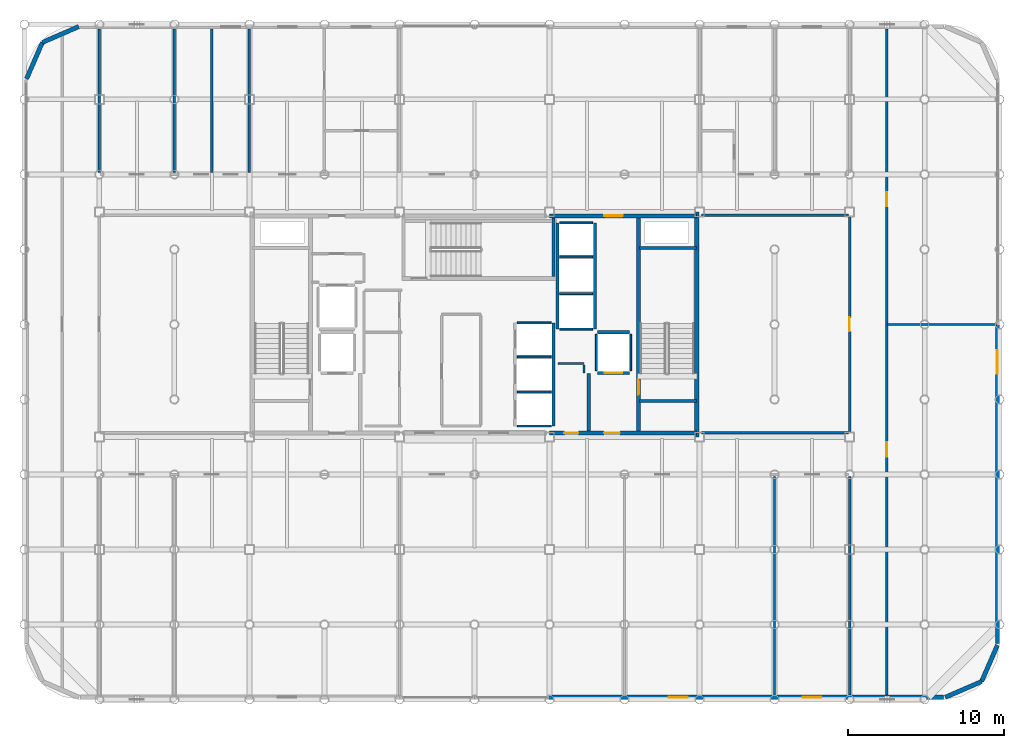
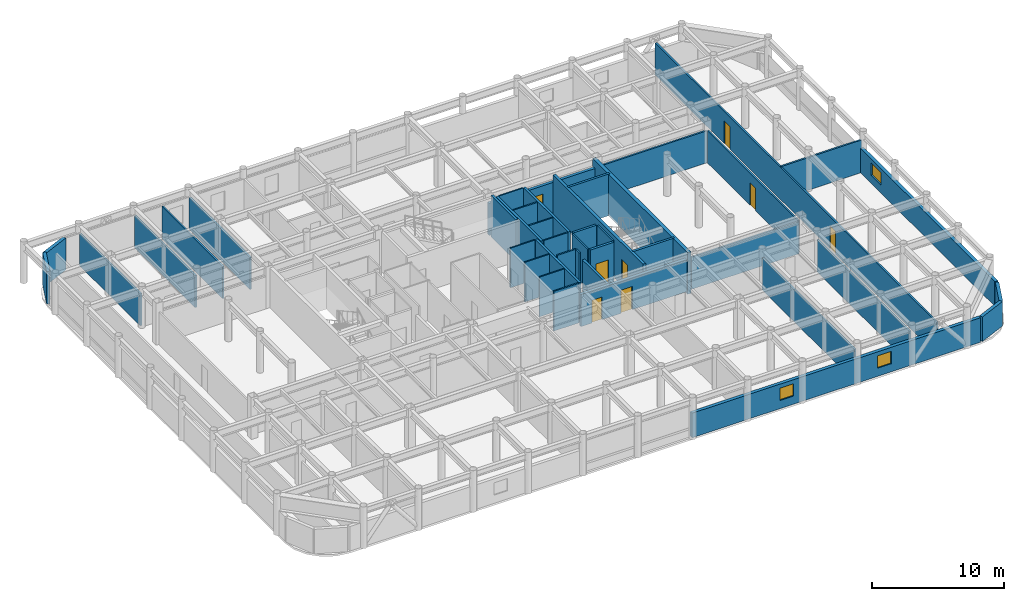
# One storey, part 18 of 21: 42 walls, 8 doors, 3 windows, 11 openings.
"""IFC4 building model written with IfcOpenShell, lengths in metres."""

import ifcopenshell
import ifcopenshell.guid

model = None  # the IFC model being written
_history = None  # IfcOwnerHistory: only IFC2X3 demands one
_inside = {}  # id of a spatial element -> (the spatial element, [elements in it])
_under = {}  # id of a project, library or spatial element -> (it, [spatial elements below it])
_declared = {}  # id of a project -> (the project, [libraries it declares])
_typed = {}  # id of a type object -> (the type object, [elements of that type])
_made_of = {}  # id of a material, layer set ... -> (it, [elements and type objects made of it])


def new_model(schema):
    """Start an empty IFC model of exactly this schema.

    Asked for "IFC4X3", IfcOpenShell would pick the latest addendum, in which some entities
    have other attributes; the version numbers below select the first issue.
    IFC2X3 requires an IfcOwnerHistory on every rooted entity: one is made here for all.
    """
    global model, _history
    if schema == "IFC4X3":
        model = ifcopenshell.file(schema_version=(4, 3, 0, 0))
    else:
        model = ifcopenshell.file(schema=schema)
    _inside.clear()
    _under.clear()
    _declared.clear()
    _typed.clear()
    _made_of.clear()
    _history = None
    if model.schema == "IFC2X3":
        org = make("IfcOrganization", Name="unknown")
        user = make(
            "IfcPersonAndOrganization",
            ThePerson=make("IfcPerson", FamilyName="unknown"),
            TheOrganization=org,
        )
        app = make(
            "IfcApplication",
            ApplicationDeveloper=org,
            Version="unknown",
            ApplicationFullName="unknown",
            ApplicationIdentifier="unknown",
        )
        _history = make(
            "IfcOwnerHistory",
            OwningUser=user,
            OwningApplication=app,
            ChangeAction="ADDED",
            CreationDate=0,
        )
    return model


def make(cls, **values):
    """One entity of the class cls with the attributes given. An attribute that is None is left unset."""
    return model.create_entity(
        cls, **{name: value for name, value in values.items() if value is not None}
    )


def rooted(cls, **values):
    """An entity with a GlobalId (a new one), such as an element, a storey or a relation."""
    return make(cls, GlobalId=ifcopenshell.guid.new(), OwnerHistory=_history, **values)


def si_unit(unit_type, name, prefix=None):
    """IfcSIUnit, for example si_unit("LENGTHUNIT", "METRE", prefix="MILLI")."""
    return make("IfcSIUnit", UnitType=unit_type, Prefix=prefix, Name=name)


def assignment(units):
    """IfcUnitAssignment: the units of a project."""
    return None if units is None else make("IfcUnitAssignment", Units=units)


def point(xyz):
    """IfcCartesianPoint."""
    return None if xyz is None else make("IfcCartesianPoint", Coordinates=xyz)


def direction(xyz):
    """IfcDirection."""
    return None if xyz is None else make("IfcDirection", DirectionRatios=xyz)


def frame(location, z_axis=None, x_axis=None):
    """IfcAxis2Placement3D, a coordinate frame: its origin and axes. An axis left out is left unset."""
    return make(
        "IfcAxis2Placement3D",
        Location=point(location),
        Axis=direction(z_axis),
        RefDirection=direction(x_axis),
    )


def frame_2d(location, x_axis=None):
    """IfcAxis2Placement2D, a coordinate frame in the plane: its origin and x axis."""
    return make(
        "IfcAxis2Placement2D", Location=point(location), RefDirection=direction(x_axis)
    )


def origin():
    """The frame at (0, 0, 0) with its axes left unset."""
    return frame((0.0, 0.0, 0.0))


def place(relative_to, where):
    """IfcLocalPlacement: puts the frame where relative to a parent placement (None: the world)."""
    return make(
        "IfcLocalPlacement", PlacementRelTo=relative_to, RelativePlacement=where
    )


def context(
    kind, dimensions, precision=None, world=None, true_north=None, identifier=None
):
    """IfcGeometricRepresentationContext, for example the 3D "Model" context."""
    return make(
        "IfcGeometricRepresentationContext",
        ContextIdentifier=identifier,
        ContextType=kind,
        CoordinateSpaceDimension=dimensions,
        Precision=precision,
        WorldCoordinateSystem=world,
        TrueNorth=true_north,
    )


def subcontext(parent, identifier, kind, view, scale=None):
    """IfcGeometricRepresentationSubContext, for example "Body" below "Model"."""
    return make(
        "IfcGeometricRepresentationSubContext",
        ContextIdentifier=identifier,
        ContextType=kind,
        ParentContext=parent,
        TargetScale=scale,
        TargetView=view,
    )


def project(units=None, contexts=None):
    """IfcProject with its units and contexts."""
    return rooted(
        "IfcProject",
        Name="project",
        RepresentationContexts=contexts,
        UnitsInContext=assignment(units),
    )


def spatial(cls, under=None, at=None, **own):
    """A site, building, storey or space (cls), placed at a placement, below another one or the project."""
    s = rooted(cls, ObjectPlacement=at, **own)
    if under is not None:
        _under.setdefault(under.id(), (under, []))[1].append(s)
    return s


def profile(cls, at=None, kind="AREA", **sizes):
    """A parametric profile (cls). Its sizes go by their IFC names, for example OverallWidth=200.0."""
    return make(cls, ProfileType=kind, Position=at, **sizes)


def rectangle(**sizes):
    """IfcRectangleProfileDef."""
    return profile("IfcRectangleProfileDef", **sizes)


def extrude(swept, where, along, depth):
    """IfcExtrudedAreaSolid: the profile swept, set in the frame where, extruded along a direction by depth."""
    return make(
        "IfcExtrudedAreaSolid",
        SweptArea=swept,
        Position=where,
        ExtrudedDirection=direction(along),
        Depth=depth,
    )


def shape(context_of_items, identifier, shape_type, items):
    """IfcShapeRepresentation: the items that make up one representation, for example the "Body"."""
    return make(
        "IfcShapeRepresentation",
        ContextOfItems=context_of_items,
        RepresentationIdentifier=identifier,
        RepresentationType=shape_type,
        Items=items,
    )


def material(Name=None, Category=None):
    """IfcMaterial."""
    return make("IfcMaterial", Name=Name, Category=Category)


def layer(
    of_material, thickness, ventilated=None, Name=None, Category=None, Priority=None
):
    """IfcMaterialLayer: one layer of a wall or slab, of a material (None: an air gap)."""
    return make(
        "IfcMaterialLayer",
        Material=of_material,
        LayerThickness=thickness,
        IsVentilated=ventilated,
        Name=Name,
        Category=Category,
        Priority=Priority,
    )


def layer_set(layers, Name=None):
    """IfcMaterialLayerSet."""
    return make("IfcMaterialLayerSet", MaterialLayers=layers, LayerSetName=Name)


def made_of(thing, what):
    """Note that an element or type object is made of a material, layer set ...; save() writes the relation."""
    if what is not None:
        _made_of.setdefault(what.id(), (what, []))[1].append(thing)
    return thing


def type_object(cls, material=None, **own):
    """A type object (cls), such as IfcWallType, which elements share."""
    return made_of(rooted(cls, **own), material)


def element(
    cls,
    number,
    at=None,
    inside=None,
    cuts=None,
    type_object=None,
    material=None,
    context=None,
    identifier="Body",
    shape_type=None,
    held_by="IfcProductDefinitionShape",
    body=None,
    shapes=None,
    **own,
):
    """One element of the class cls, such as IfcWall. Its Tag is "e" and its number.

    at: its placement. inside: the storey or other place that contains it. cuts: it is an
    opening in that element (IfcRelVoidsElement). A single representation is given by context,
    identifier, shape_type and body (its items); several are given by shapes. held_by: the class
    of the entity that holds the representations. save() writes the other relations.
    """
    e = rooted(cls, Tag="e%d" % number, ObjectPlacement=at, **own)
    if body is not None:
        shapes = [shape(context, identifier, shape_type, body)]
    if shapes is not None:
        e.Representation = make(held_by, Representations=shapes)
    if inside is not None:
        _inside.setdefault(inside.id(), (inside, []))[1].append(e)
    if cuts is not None:
        rooted(
            "IfcRelVoidsElement", RelatingBuildingElement=cuts, RelatedOpeningElement=e
        )
    if type_object is not None:
        _typed.setdefault(type_object.id(), (type_object, []))[1].append(e)
    return made_of(e, material)


def fill(opening, filler):
    """IfcRelFillsElement: the door or window that sits in an opening."""
    return rooted(
        "IfcRelFillsElement",
        RelatingOpeningElement=opening,
        RelatedBuildingElement=filler,
    )


def aggregate(whole, parts):
    """IfcRelAggregates: a whole, such as a stair, and the parts it consists of."""
    return rooted("IfcRelAggregates", RelatingObject=whole, RelatedObjects=parts)


def save(model, path):
    """Write the relations noted so far, then the file.

    IfcRelAggregates (storeys below a building ...), IfcRelContainedInSpatialStructure (elements
    in a storey), IfcRelDefinesByType, IfcRelAssociatesMaterial and IfcRelDeclares: one each for
    every whole, place, type object, material and project.
    """
    for whole, parts in _under.values():
        aggregate(whole, parts)
    for where, things in _inside.values():
        rooted(
            "IfcRelContainedInSpatialStructure",
            RelatedElements=things,
            RelatingStructure=where,
        )
    for kind, things in _typed.values():
        rooted("IfcRelDefinesByType", RelatedObjects=things, RelatingType=kind)
    for what, things in _made_of.values():
        rooted("IfcRelAssociatesMaterial", RelatedObjects=things, RelatingMaterial=what)
    for by, libraries in _declared.values():
        rooted("IfcRelDeclares", RelatingContext=by, RelatedDefinitions=libraries)
    model.write(path)


model = new_model("IFC4")

# Units and contexts
model_context = context("Model", 3, precision=1e-05, world=origin(), true_north=direction((0.0, 1.0)))
body_context = subcontext(model_context, "Body", "Model", "MODEL_VIEW")
ifc_project = project(units=[si_unit("LENGTHUNIT", "METRE"), si_unit("AREAUNIT", "SQUARE_METRE"), si_unit("VOLUMEUNIT", "CUBIC_METRE"), si_unit("PLANEANGLEUNIT", "RADIAN"), si_unit("MASSUNIT", "GRAM", prefix="KILO")], contexts=[model_context])

# Site, building, storey
site_placement = place(None, origin())
site = spatial("IfcSite", under=ifc_project, at=site_placement, CompositionType="ELEMENT")
building_placement = place(site_placement, origin())
building = spatial("IfcBuilding", under=site, at=building_placement, Name="Kallvorn Hotel Tower", CompositionType="ELEMENT")
storey_placement = place(building_placement, frame((0.0, 0.0, 214.60009765625)))
storey = spatial("IfcBuildingStorey", under=building, at=storey_placement, Name="L53", CompositionType="ELEMENT", Elevation=214.60009765625)

# Walls
ifc_material_1 = material(Name="Concrete C50/60", Category="concrete")
ifc_layer_1 = layer(ifc_material_1, 0.300048828125)
ifc_layer_set_1 = layer_set([ifc_layer_1], Name="WL_CORE_300")
wall_type_1 = type_object("IfcWallType", Name="WL_CORE_300", PredefinedType="SHEAR", material=ifc_layer_set_1)
wall_1_placement = place(storey_placement, frame((14.215087890625, -7.199951171875, -0.18017578125), z_axis=(0.0, 0.0, 1.0), x_axis=(0.0, 1.0, 0.0)))
element("IfcWall", 1, at=wall_1_placement, inside=storey, type_object=wall_type_1, Name="L53 Core East Shear Wall", PredefinedType="SHEAR", context=body_context, shape_type="SweptSolid", body=[
    extrude(rectangle(XDim=14.39990234375, YDim=0.300048828125, at=frame_2d((7.199951171875, 0.0))), origin(), (0.0, 0.0, 1.0), 3.85009765625),
])
ifc_material_2 = material(Name="Fire-rated double-layer acoustic gypsum drywall EI 60")
ifc_layer_2 = layer(ifc_material_2, 0.159912109375)
ifc_layer_set_2 = layer_set([ifc_layer_2], Name="WL_DEMISE_160")
wall_type_2 = type_object("IfcWallType", Name="WL_DEMISE_160", PredefinedType="PARTITIONING", material=ifc_layer_set_2)
wall_2_placement = place(storey_placement, frame((-14.39990234375, 9.719970703125, 0.0), z_axis=(0.0, 0.0, 1.0), x_axis=(0.0, 1.0, 0.0)))
element("IfcWall", 2, at=wall_2_placement, inside=storey, type_object=wall_type_2, Name="L53 Suite 5301 Junior Living Salon Partition", PredefinedType="PARTITIONING", context=body_context, shape_type="SweptSolid", body=[
    extrude(rectangle(XDim=9.18994140625, YDim=0.159912109375, at=frame_2d((4.594970703125, 0.0))), origin(), (0.0, 0.0, 1.0), 2.969970703125),
])
ifc_material_3 = material(Name="Precast basalt-clad insulated concrete wall C40/50", Category="masonry")
ifc_layer_3 = layer(ifc_material_3, 0.280029296875)
ifc_layer_set_3 = layer_set([ifc_layer_3], Name="WL_EXT_LOGGIA_280")
wall_type_3 = type_object("IfcWallType", Name="WL_EXT_LOGGIA_280", PredefinedType="SOLIDWALL", material=ifc_layer_set_3)
wall_3_placement = place(storey_placement, frame((30.120849609375, -23.85791015625, 0.0), z_axis=(0.0, 0.0, 1.0), x_axis=(0.917060872934, 0.398747232384, 0.0)))
element("IfcWall", 3, at=wall_3_placement, inside=storey, type_object=wall_type_3, Name="L53 Rounded Corner Exterior Wall SE1", PredefinedType="SOLIDWALL", context=body_context, shape_type="SweptSolid", body=[
    extrude(rectangle(XDim=2.5361328125, YDim=0.280029296875, at=frame_2d((1.26806640625, 0.0))), origin(), (0.0, 0.0, 1.0), 2.27001953125),
])
wall_4_placement = place(storey_placement, frame((32.446533203125, -22.8466796875, 0.0), z_axis=(0.0, 0.0, 1.0), x_axis=(0.398792985289, 0.917040977756, 0.0)))
element("IfcWall", 4, at=wall_4_placement, inside=storey, type_object=wall_type_3, Name="L53 Rounded Corner Exterior Wall SE2", PredefinedType="SOLIDWALL", context=body_context, shape_type="SweptSolid", body=[
    extrude(rectangle(XDim=2.536376953125, YDim=0.280029296875, at=frame_2d((1.26806640625, 0.0))), origin(), (0.0, 0.0, 1.0), 2.27001953125),
])
wall_5_placement = place(storey_placement, frame((-25.32080078125, 19.057861328125, 0.0), z_axis=(0.0, 0.0, 1.0), x_axis=(-0.917060872934, -0.398747232384, 0.0)))
element("IfcWall", 5, at=wall_5_placement, inside=storey, type_object=wall_type_3, Name="L53 Rounded Corner Exterior Wall NW1", PredefinedType="SOLIDWALL", context=body_context, shape_type="SweptSolid", body=[
    extrude(rectangle(XDim=2.5361328125, YDim=0.280029296875, at=frame_2d((1.26806640625, 0.0))), origin(), (0.0, 0.0, 1.0), 2.969970703125),
])
wall_6_placement = place(storey_placement, frame((-27.646484375, 18.046630859375, 0.0), z_axis=(0.0, 0.0, 1.0), x_axis=(-0.398792985289, -0.917040977756, 0.0)))
element("IfcWall", 6, at=wall_6_placement, inside=storey, type_object=wall_type_3, Name="L53 Rounded Corner Exterior Wall NW2", PredefinedType="SOLIDWALL", context=body_context, shape_type="SweptSolid", body=[
    extrude(rectangle(XDim=2.536376953125, YDim=0.280029296875, at=frame_2d((1.26806640625, 0.0))), origin(), (0.0, 0.0, 1.0), 3.02001953125),
])

# Wall, openings, windows
wall_7_placement = place(storey_placement, frame((4.75, -23.860107421875, 0.0), z_axis=(0.0, 0.0, 1.0), x_axis=(1.0, 0.0, 0.0)))
wall_7 = element("IfcWall", 7, at=wall_7_placement, inside=storey, type_object=wall_type_3, Name="L53 Exterior Envelope Wall EW-L53-SE", PredefinedType="SOLIDWALL", context=body_context, shape_type="SweptSolid", body=[
    extrude(rectangle(XDim=25.25, YDim=0.280029296875, at=frame_2d((12.625, 0.0))), origin(), (0.0, 0.0, 1.0), 2.27001953125),
])
opening_1_placement = place(wall_7_placement, frame((16.25, 0.0, 0.75)))
opening_1 = element("IfcOpeningElement", 8, at=opening_1_placement, cuts=wall_7, Name="Opening W06A", PredefinedType="OPENING", context=body_context, shape_type="SweptSolid", body=[
    extrude(rectangle(XDim=1.199951171875, YDim=1.14990234375, at=frame_2d((0.60009765625, 0.574951171875))), frame((0.0, 0.155029296875, 0.0), z_axis=(0.0, -1.0, 0.0), x_axis=(1.0, 0.0, 0.0)), (0.0, 0.0, 1.0), 0.31005859375),
])
opening_2_placement = place(wall_7_placement, frame((7.68408203125, 0.0, 0.75)))
opening_2 = element("IfcOpeningElement", 9, at=opening_2_placement, cuts=wall_7, Name="Opening W06A", PredefinedType="OPENING", context=body_context, shape_type="SweptSolid", body=[
    extrude(rectangle(XDim=1.199951171875, YDim=1.14990234375, at=frame_2d((0.60009765625, 0.574951171875))), frame((0.0, 0.155029296875, 0.0), z_axis=(0.0, -1.0, 0.0), x_axis=(1.0, 0.0, 0.0)), (0.0, 0.0, 1.0), 0.31005859375),
])
ifc_material_4 = material(Name="Triple-glazed low-e acoustic solar-control dark glass", Category="glass")
window_type_1 = type_object("IfcWindowType", Name="WN_HTL_1200x1150", PartitioningType="SINGLE_PANEL", PredefinedType="WINDOW", material=ifc_material_4)
window_1_placement = place(opening_1_placement, origin())
window_1 = element("IfcWindow", 10, at=window_1_placement, inside=storey, type_object=window_type_1, Name="L53 Guestroom Exterior Window 01", OverallHeight=1.14990234375, OverallWidth=1.199951171875, PartitioningType="SINGLE_PANEL", PredefinedType="WINDOW", context=body_context, shape_type="SweptSolid", body=[
    extrude(rectangle(XDim=1.199951171875, YDim=1.14990234375, at=frame_2d((0.60009765625, 0.574951171875))), frame((0.0, 0.030029296875, 0.0), z_axis=(0.0, -1.0, 0.0), x_axis=(1.0, 0.0, 0.0)), (0.0, 0.0, 1.0), 0.06005859375),
])
fill(opening_1, window_1)
window_2_placement = place(opening_2_placement, origin())
window_2 = element("IfcWindow", 11, at=window_2_placement, inside=storey, type_object=window_type_1, Name="L53 Guestroom Exterior Window 05", OverallHeight=1.14990234375, OverallWidth=1.199951171875, PartitioningType="SINGLE_PANEL", PredefinedType="WINDOW", context=body_context, shape_type="SweptSolid", body=[
    extrude(rectangle(XDim=1.199951171875, YDim=1.14990234375, at=frame_2d((0.60009765625, 0.574951171875))), frame((0.0, 0.030029296875, 0.0), z_axis=(0.0, -1.0, 0.0), x_axis=(1.0, 0.0, 0.0)), (0.0, 0.0, 1.0), 0.06005859375),
])
fill(opening_2, window_2)

# Wall, opening, window
wall_8_placement = place(storey_placement, frame((33.4599609375, -20.39990234375, 0.0), z_axis=(0.0, 0.0, 1.0), x_axis=(0.0, 1.0, 0.0)))
wall_8 = element("IfcWall", 12, at=wall_8_placement, inside=storey, type_object=wall_type_3, Name="L53 Exterior Envelope Wall EW-L53-ES", PredefinedType="SOLIDWALL", context=body_context, shape_type="SweptSolid", body=[
    extrude(rectangle(XDim=20.3798828125, YDim=0.280029296875, at=frame_2d((10.18994140625, 0.0))), origin(), (0.0, 0.0, 1.0), 2.27001953125),
])
opening_3_placement = place(wall_8_placement, frame((17.25, 0.0, 0.75)))
opening_3 = element("IfcOpeningElement", 13, at=opening_3_placement, cuts=wall_8, Name="Opening W05A", PredefinedType="OPENING", context=body_context, shape_type="SweptSolid", body=[
    extrude(rectangle(XDim=1.5, YDim=1.14990234375, at=frame_2d((0.75, 0.574951171875))), frame((0.0, 0.155029296875, 0.0), z_axis=(0.0, -1.0, 0.0), x_axis=(1.0, 0.0, 0.0)), (0.0, 0.0, 1.0), 0.31005859375),
])
ifc_material_5 = material(Name="Double-glazed low-e solar-control dark glass", Category="glass")
window_type_2 = type_object("IfcWindowType", Name="WN_HTL_1500x1150", PartitioningType="SINGLE_PANEL", PredefinedType="WINDOW", material=ifc_material_5)
window_3_placement = place(opening_3_placement, origin())
window_3 = element("IfcWindow", 14, at=window_3_placement, inside=storey, type_object=window_type_2, Name="L53 Flank Wing Window 03", OverallHeight=1.14990234375, OverallWidth=1.5, PartitioningType="SINGLE_PANEL", PredefinedType="WINDOW", context=body_context, shape_type="SweptSolid", body=[
    extrude(rectangle(XDim=1.5, YDim=1.14990234375, at=frame_2d((0.75, 0.574951171875))), frame((0.0, 0.030029296875, 0.0), z_axis=(0.0, -1.0, 0.0), x_axis=(1.0, 0.0, 0.0)), (0.0, 0.0, 1.0), 0.06005859375),
])
fill(opening_3, window_3)

# Walls
ifc_material_6 = material(Name="Concrete C40/50", Category="concrete")
ifc_layer_4 = layer(ifc_material_6, 0.219970703125)
ifc_layer_set_4 = layer_set([ifc_layer_4], Name="WL_FFL_220")
wall_type_4 = type_object("IfcWallType", Name="WL_FFL_220", PredefinedType="SOLIDWALL", material=ifc_layer_set_4)
wall_9_placement = place(storey_placement, frame((7.300048828125, -6.820068359375, 0.0), z_axis=(0.0, 0.0, 1.0), x_axis=(0.0, 1.0, 0.0)))
element("IfcWall", 15, at=wall_9_placement, inside=storey, type_object=wall_type_4, Name="L53 Firefighting Lobby East Divider Wall", PredefinedType="SOLIDWALL", context=body_context, shape_type="SweptSolid", body=[
    extrude(rectangle(XDim=3.670166015625, YDim=0.219970703125, at=frame_2d((1.8349609375, 0.0))), origin(), (0.0, 0.0, 1.0), 2.969970703125),
])
ifc_material_7 = material(Name="Concrete C40/50", Category="concrete")
ifc_layer_5 = layer(ifc_material_7, 0.199951171875)
ifc_layer_set_5 = layer_set([ifc_layer_5], Name="WL_HOIST_200")
wall_type_5 = type_object("IfcWallType", Name="WL_HOIST_200", PredefinedType="SOLIDWALL", material=ifc_layer_set_5)
for number, where, z_axis, x_axis, name in (
    (16, (10.550048828125, -4.89990234375, -0.18017578125), (0.0, 0.0, 1.0), (1.0, 0.0, 0.0), "L53 Stair ST2 South Wall"),
    (17, (10.550048828125, 4.89990234375, -0.18017578125), (0.0, 0.0, 1.0), (1.0, 0.0, 0.0), "L53 Stair ST2 North Wall"),
):
    element("IfcWall", number, at=place(storey_placement, frame(where, z_axis=z_axis, x_axis=x_axis)), inside=storey, type_object=wall_type_5, Name=name, PredefinedType="SOLIDWALL", context=body_context, shape_type="SweptSolid", body=[
        extrude(rectangle(XDim=3.64990234375, YDim=0.199951171875, at=frame_2d((1.824951171875, 0.0))), origin(), (0.0, 0.0, 1.0), 3.85009765625),
    ])
wall_10_placement = place(storey_placement, frame((5.06005859375, 3.080078125, -0.18017578125), z_axis=(0.0, 0.0, 1.0), x_axis=(0.0, 1.0, 0.0)))
element("IfcWall", 18, at=wall_10_placement, inside=storey, type_object=wall_type_5, Name="L53 Stair ST3 East Wall", PredefinedType="SOLIDWALL", context=body_context, shape_type="SweptSolid", body=[
    extrude(rectangle(XDim=3.739990234375, YDim=0.199951171875, at=frame_2d((1.8701171875, 0.0))), origin(), (0.0, 0.0, 1.0), 3.85009765625),
])
wall_11_placement = place(storey_placement, frame((5.050048828125, -6.5, 0.0), z_axis=(0.0, 0.0, 1.0), x_axis=(0.0, 1.0, 0.0)))
element("IfcWall", 19, at=wall_11_placement, inside=storey, type_object=wall_type_5, Name="L53 Lift Bank B3A Rear Shaft Wall", PredefinedType="SOLIDWALL", context=body_context, shape_type="SweptSolid", body=[
    extrude(rectangle(XDim=6.60009765625, YDim=0.199951171875, at=frame_2d((3.300048828125, 0.0))), origin(), (0.0, 0.0, 1.0), 3.669921875),
])
for number, where, z_axis, x_axis, name in (
    (20, (7.699951171875, -0.300048828125, 0.0), (0.0, 0.0, 1.0), (0.0, 1.0, 0.0), "L53 Lift Bank OBS Landing Wall"),
    (21, (5.300048828125, -0.300048828125, 0.0), (0.0, 0.0, 1.0), (0.0, 1.0, 0.0), "L53 Lift Bank OBS Rear Shaft Wall"),
):
    element("IfcWall", number, at=place(storey_placement, frame(where, z_axis=z_axis, x_axis=x_axis)), inside=storey, type_object=wall_type_5, Name=name, PredefinedType="SOLIDWALL", context=body_context, shape_type="SweptSolid", body=[
        extrude(rectangle(XDim=6.800048828125, YDim=0.199951171875, at=frame_2d((3.39990234375, 0.0))), origin(), (0.0, 0.0, 1.0), 3.669921875),
    ])

# Wall, opening, door
wall_12_placement = place(storey_placement, frame((7.8798828125, -3.10009765625, 0.0), z_axis=(0.0, 0.0, 1.0), x_axis=(1.0, 0.0, 0.0)))
wall_12 = element("IfcWall", 22, at=wall_12_placement, inside=storey, type_object=wall_type_5, Name="L53 FL-2 Landing Wall", PredefinedType="SOLIDWALL", context=body_context, shape_type="SweptSolid", body=[
    extrude(rectangle(XDim=2.0400390625, YDim=0.199951171875, at=frame_2d((1.02001953125, 0.0))), origin(), (0.0, 0.0, 1.0), 3.669921875),
])
opening_4_placement = place(wall_12_placement, frame((0.469970703125, 0.0, 0.0)))
opening_4 = element("IfcOpeningElement", 23, at=opening_4_placement, cuts=wall_12, Name="Opening LD-FL-2", PredefinedType="OPENING", context=body_context, shape_type="SweptSolid", body=[
    extrude(rectangle(XDim=1.10009765625, YDim=2.199951171875, at=frame_2d((0.550048828125, 1.10009765625))), frame((0.0, 0.114990234375, 0.0), z_axis=(0.0, -1.0, 0.0), x_axis=(1.0, 0.0, 0.0)), (0.0, 0.0, 1.0), 0.22998046875),
])
ifc_material_8 = material(Name="Brushed stainless-steel automatic sliding lift landing door", Category="steel")
door_type_1 = type_object("IfcDoorType", Name="LD_PASS_1100x2200", OperationType="SLIDING_TO_LEFT", PredefinedType="DOOR", material=ifc_material_8)
door_1_placement = place(opening_4_placement, origin())
door_1 = element("IfcDoor", 24, at=door_1_placement, inside=storey, type_object=door_type_1, Name="L53 Lift Landing Sliding Door LD-FL-2", OperationType="SLIDING_TO_LEFT", OverallHeight=2.199951171875, OverallWidth=1.10009765625, PredefinedType="DOOR", context=body_context, shape_type="SweptSolid", body=[
    extrude(rectangle(XDim=1.10009765625, YDim=2.199951171875, at=frame_2d((0.550048828125, 1.10009765625))), frame((0.0, 0.02490234375, 0.0), z_axis=(0.0, -1.0, 0.0), x_axis=(1.0, 0.0, 0.0)), (0.0, 0.0, 1.0), 0.050048828125),
])
fill(opening_4, door_1)

# Walls
wall_13_placement = place(storey_placement, frame((7.8798828125, -0.5, 0.0), z_axis=(0.0, 0.0, 1.0), x_axis=(1.0, 0.0, 0.0)))
element("IfcWall", 25, at=wall_13_placement, inside=storey, type_object=wall_type_5, Name="L53 FL-2 Rear Shaft Wall", PredefinedType="SOLIDWALL", context=body_context, shape_type="SweptSolid", body=[
    extrude(rectangle(XDim=2.0400390625, YDim=0.199951171875, at=frame_2d((1.02001953125, 0.0))), origin(), (0.0, 0.0, 1.0), 3.669921875),
])
ifc_material_9 = material(Name="Fire-rated double-layer acoustic gypsum drywall EI 60")
ifc_layer_6 = layer(ifc_material_9, 0.1201171875)
ifc_layer_set_6 = layer_set([ifc_layer_6], Name="WL_INT_120")
wall_type_6 = type_object("IfcWallType", Name="WL_INT_120", PredefinedType="PARTITIONING", material=ifc_layer_set_6)
for number, where, z_axis, x_axis, name in (
    (26, (2.739990234375, -6.5, 0.0), (0.0, 0.0, 1.0), (1.0, 0.0, 0.0), "L53 Lift Bank B3A South Closure Wall"),
    (27, (2.739990234375, -4.324951171875, 0.0), (0.0, 0.0, 1.0), (1.0, 0.0, 0.0), "L53 PL-09 Hoistway Divider"),
    (28, (2.739990234375, -2.074951171875, 0.0), (0.0, 0.0, 1.0), (1.0, 0.0, 0.0), "L53 PL-10 Hoistway Divider"),
    (29, (2.739990234375, 0.10009765625, 0.0), (0.0, 0.0, 1.0), (1.0, 0.0, 0.0), "L53 PL-11 Hoistway Divider"),
):
    element("IfcWall", number, at=place(storey_placement, frame(where, z_axis=z_axis, x_axis=x_axis)), inside=storey, type_object=wall_type_6, Name=name, PredefinedType="PARTITIONING", context=body_context, shape_type="SweptSolid", body=[
        extrude(rectangle(XDim=2.169921875, YDim=0.1201171875, at=frame_2d((1.0849609375, 0.0))), origin(), (0.0, 0.0, 1.0), 3.669921875),
    ])
for number, where, z_axis, x_axis, name in (
    (30, (5.43994140625, -0.300048828125, 0.0), (0.0, 0.0, 1.0), (1.0, 0.0, 0.0), "L53 Lift Bank OBS South Closure Wall"),
    (31, (5.43994140625, 1.97509765625, 0.0), (0.0, 0.0, 1.0), (1.0, 0.0, 0.0), "L53 OB-01 Hoistway Divider"),
    (32, (5.43994140625, 4.324951171875, 0.0), (0.0, 0.0, 1.0), (1.0, 0.0, 0.0), "L53 OB-02 Hoistway Divider"),
    (33, (5.43994140625, 6.5, 0.0), (0.0, 0.0, 1.0), (1.0, 0.0, 0.0), "L53 OB-03 Hoistway Divider"),
):
    element("IfcWall", number, at=place(storey_placement, frame(where, z_axis=z_axis, x_axis=x_axis)), inside=storey, type_object=wall_type_6, Name=name, PredefinedType="PARTITIONING", context=body_context, shape_type="SweptSolid", body=[
        extrude(rectangle(XDim=2.1201171875, YDim=0.1201171875, at=frame_2d((1.06005859375, 0.0))), origin(), (0.0, 0.0, 1.0), 3.669921875),
    ])
for number, where, z_axis, x_axis, name in (
    (34, (7.800048828125, -2.9599609375, 0.0), (0.0, 0.0, 1.0), (0.0, 1.0, 0.0), "L53 FL-2 West Shaft Wall"),
    (35, (10.0, -2.9599609375, 0.0), (0.0, 0.0, 1.0), (0.0, 1.0, 0.0), "L53 FL-2 East Shaft Wall"),
):
    element("IfcWall", number, at=place(storey_placement, frame(where, z_axis=z_axis, x_axis=x_axis)), inside=storey, type_object=wall_type_6, Name=name, PredefinedType="PARTITIONING", context=body_context, shape_type="SweptSolid", body=[
        extrude(rectangle(XDim=2.320068359375, YDim=0.1201171875, at=frame_2d((1.16015625, 0.0))), origin(), (0.0, 0.0, 1.0), 3.669921875),
    ])
ifc_material_10 = material(Name="Fire-rated double-layer acoustic gypsum drywall EI 60")
ifc_layer_7 = layer(ifc_material_10, 0.14990234375)
ifc_layer_set_7 = layer_set([ifc_layer_7], Name="WL_PART_150")
wall_type_7 = type_object("IfcWallType", Name="WL_PART_150", PredefinedType="PARTITIONING", material=ifc_layer_set_7)
wall_14_placement = place(storey_placement, frame((14.52001953125, -6.919921875, 0.0), z_axis=(0.0, 0.0, 1.0), x_axis=(1.0, 0.0, 0.0)))
element("IfcWall", 36, at=wall_14_placement, inside=storey, type_object=wall_type_7, Name="L53 L53 High-Zone Inner East Club Gallery Partition", PredefinedType="PARTITIONING", context=body_context, shape_type="SweptSolid", body=[
    extrude(rectangle(XDim=9.39990234375, YDim=0.14990234375, at=frame_2d((4.699951171875, 0.0))), origin(), (0.0, 0.0, 1.0), 2.969970703125),
])
wall_15_placement = place(storey_placement, frame((26.3798828125, 0.0, 0.0), z_axis=(0.0, 0.0, 1.0), x_axis=(1.0, 0.0, 0.0)))
element("IfcWall", 37, at=wall_15_placement, inside=storey, type_object=wall_type_7, Name="L53 L53 Outer East South Tasting Bar Partition", PredefinedType="PARTITIONING", context=body_context, shape_type="SweptSolid", body=[
    extrude(rectangle(XDim=7.050048828125, YDim=0.14990234375, at=frame_2d((3.52490234375, 0.0))), origin(), (0.0, 0.0, 1.0), 3.02001953125),
])
wall_16_placement = place(storey_placement, frame((14.52001953125, 6.97998046875, 0.0), z_axis=(0.0, 0.0, 1.0), x_axis=(1.0, 0.0, 0.0)))
element("IfcWall", 38, at=wall_16_placement, inside=storey, type_object=wall_type_7, Name="L53 L53 High-Zone Inner East Club Gallery Partition", PredefinedType="PARTITIONING", context=body_context, shape_type="SweptSolid", body=[
    extrude(rectangle(XDim=9.39990234375, YDim=0.14990234375, at=frame_2d((4.699951171875, 0.0))), origin(), (0.0, 0.0, 1.0), 2.969970703125),
])
for number, where, z_axis, x_axis, name in (
    (39, (-24.0, 9.719970703125, 0.0), (0.0, 0.0, 1.0), (0.0, 1.0, 0.0), "L53 L53 High-Zone North-West Reading Salon Partition"),
    (40, (-19.199951171875, 9.719970703125, 0.0), (0.0, 0.0, 1.0), (0.0, 1.0, 0.0), "L53 Housekeeping and Linen Room Partition"),
    (41, (-16.800048828125, 9.719970703125, 0.0), (0.0, 0.0, 1.0), (0.0, 1.0, 0.0), "L53 Guest Tea and Refreshment Bar Partition"),
):
    element("IfcWall", number, at=place(storey_placement, frame(where, z_axis=z_axis, x_axis=x_axis)), inside=storey, type_object=wall_type_7, Name=name, PredefinedType="PARTITIONING", context=body_context, shape_type="SweptSolid", body=[
        extrude(rectangle(XDim=9.18994140625, YDim=0.14990234375, at=frame_2d((4.594970703125, 0.0))), origin(), (0.0, 0.0, 1.0), 2.969970703125),
    ])
for number, where, z_axis, x_axis, name in (
    (42, (19.199951171875, -23.7099609375, 0.0), (0.0, 0.0, 1.0), (0.0, 1.0, 0.0), "L53 L53 Haute Couture Design Retail Shop 3 Partition"),
    (43, (24.0, -23.7099609375, 0.0), (0.0, 0.0, 1.0), (0.0, 1.0, 0.0), "L53 L53 High-Zone South-East Wine Bar Partition"),
):
    element("IfcWall", number, at=place(storey_placement, frame(where, z_axis=z_axis, x_axis=x_axis)), inside=storey, type_object=wall_type_7, Name=name, PredefinedType="PARTITIONING", context=body_context, shape_type="SweptSolid", body=[
        extrude(rectangle(XDim=13.989990234375, YDim=0.14990234375, at=frame_2d((6.9951171875, 0.0))), origin(), (0.0, 0.0, 1.0), 2.969970703125),
    ])

# Wall, opening, door
wall_17_placement = place(storey_placement, frame((24.0, -6.8349609375, 0.0), z_axis=(0.0, 0.0, 1.0), x_axis=(0.0, 1.0, 0.0)))
wall_17 = element("IfcWall", 44, at=wall_17_placement, inside=storey, type_object=wall_type_7, Name="L53 L53 High-Zone Inner East Club Gallery Partition", PredefinedType="PARTITIONING", context=body_context, shape_type="SweptSolid", body=[
    extrude(rectangle(XDim=13.72998046875, YDim=0.14990234375, at=frame_2d((6.864990234375, 0.0))), origin(), (0.0, 0.0, 1.0), 2.969970703125),
])
opening_5_placement = place(wall_17_placement, frame((6.385009765625, 0.0, 0.0)))
opening_5 = element("IfcOpeningElement", 45, at=opening_5_placement, cuts=wall_17, Name="Opening SVD1", PredefinedType="OPENING", context=body_context, shape_type="SweptSolid", body=[
    extrude(rectangle(XDim=0.89990234375, YDim=2.10009765625, at=frame_2d((0.449951171875, 1.050048828125))), frame((0.0, 0.08984375, 0.0), z_axis=(0.0, -1.0, 0.0), x_axis=(1.0, 0.0, 0.0)), (0.0, 0.0, 1.0), 0.179931640625),
])
ifc_material_11 = material(Name="Galvanised painted steel fire-rated door assembly", Category="steel")
door_type_2 = type_object("IfcDoorType", Name="DR_SERV_900x2100", OperationType="NOTDEFINED", PredefinedType="DOOR", material=ifc_material_11)
door_2_placement = place(opening_5_placement, origin())
door_2 = element("IfcDoor", 46, at=door_2_placement, inside=storey, type_object=door_type_2, Name="L53 L53 High-Zone Inner East Club Gallery Door", OperationType="SINGLE_SWING_LEFT", OverallHeight=2.10009765625, OverallWidth=0.89990234375, PredefinedType="DOOR", context=body_context, shape_type="SweptSolid", body=[
    extrude(rectangle(XDim=0.89990234375, YDim=2.10009765625, at=frame_2d((0.449951171875, 1.050048828125))), frame((0.0, 0.02490234375, 0.0), z_axis=(0.0, -1.0, 0.0), x_axis=(1.0, 0.0, 0.0)), (0.0, 0.0, 1.0), 0.050048828125),
])
fill(opening_5, door_2)

# Wall, openings, doors
wall_18_placement = place(storey_placement, frame((26.3798828125, -23.7099609375, 0.0), z_axis=(0.0, 0.0, 1.0), x_axis=(0.0, 1.0, 0.0)))
wall_18 = element("IfcWall", 47, at=wall_18_placement, inside=storey, type_object=wall_type_7, Name="L53 L53 Outer East South Tasting Bar Partition", PredefinedType="PARTITIONING", context=body_context, shape_type="SweptSolid", body=[
    extrude(rectangle(XDim=42.619873046875, YDim=0.14990234375, at=frame_2d((21.31005859375, 0.0))), origin(), (0.0, 0.0, 1.0), 2.969970703125),
])
opening_6_placement = place(wall_18_placement, frame((15.260009765625, 0.0, 0.0)))
opening_6 = element("IfcOpeningElement", 48, at=opening_6_placement, cuts=wall_18, Name="Opening SVD1", PredefinedType="OPENING", context=body_context, shape_type="SweptSolid", body=[
    extrude(rectangle(XDim=0.89990234375, YDim=2.10009765625, at=frame_2d((0.449951171875, 1.050048828125))), frame((0.0, 0.08984375, 0.0), z_axis=(0.0, -1.0, 0.0), x_axis=(1.0, 0.0, 0.0)), (0.0, 0.0, 1.0), 0.179931640625),
])
opening_7_placement = place(wall_18_placement, frame((31.260009765625, 0.0, 0.0)))
opening_7 = element("IfcOpeningElement", 49, at=opening_7_placement, cuts=wall_18, Name="Opening SVD1", PredefinedType="OPENING", context=body_context, shape_type="SweptSolid", body=[
    extrude(rectangle(XDim=0.89990234375, YDim=2.10009765625, at=frame_2d((0.449951171875, 1.050048828125))), frame((0.0, 0.08984375, 0.0), z_axis=(0.0, -1.0, 0.0), x_axis=(1.0, 0.0, 0.0)), (0.0, 0.0, 1.0), 0.179931640625),
])
door_3_placement = place(opening_6_placement, origin())
door_3 = element("IfcDoor", 50, at=door_3_placement, inside=storey, type_object=door_type_2, Name="L53 L53 Outer East South Tasting Bar Door", OperationType="SINGLE_SWING_LEFT", OverallHeight=2.10009765625, OverallWidth=0.89990234375, PredefinedType="DOOR", context=body_context, shape_type="SweptSolid", body=[
    extrude(rectangle(XDim=0.89990234375, YDim=2.10009765625, at=frame_2d((0.449951171875, 1.050048828125))), frame((0.0, 0.02490234375, 0.0), z_axis=(0.0, -1.0, 0.0), x_axis=(1.0, 0.0, 0.0)), (0.0, 0.0, 1.0), 0.050048828125),
])
fill(opening_6, door_3)
door_4_placement = place(opening_7_placement, origin())
door_4 = element("IfcDoor", 51, at=door_4_placement, inside=storey, type_object=door_type_2, Name="L53 L53 Outer East North Collectors Gallery Door", OperationType="SINGLE_SWING_LEFT", OverallHeight=2.10009765625, OverallWidth=0.89990234375, PredefinedType="DOOR", context=body_context, shape_type="SweptSolid", body=[
    extrude(rectangle(XDim=0.89990234375, YDim=2.10009765625, at=frame_2d((0.449951171875, 1.050048828125))), frame((0.0, 0.02490234375, 0.0), z_axis=(0.0, -1.0, 0.0), x_axis=(1.0, 0.0, 0.0)), (0.0, 0.0, 1.0), 0.050048828125),
])
fill(opening_7, door_4)

# Walls
ifc_material_12 = material(Name="Moisture-resistant acoustic plumbing chase wall EI 60")
ifc_layer_8 = layer(ifc_material_12, 0.139892578125)
ifc_layer_set_8 = layer_set([ifc_layer_8], Name="WL_PLUMB_140")
wall_type_8 = type_object("IfcWallType", Name="WL_PLUMB_140", PredefinedType="PLUMBINGWALL", material=ifc_layer_set_8)
wall_19_placement = place(storey_placement, frame((5.35009765625, -2.5, 0.0), z_axis=(0.0, 0.0, 1.0), x_axis=(1.0, 0.0, 0.0)))
element("IfcWall", 52, at=wall_19_placement, inside=storey, type_object=wall_type_8, Name="L53 Core Accessible Staff WC Partition", PredefinedType="PLUMBINGWALL", context=body_context, shape_type="SweptSolid", body=[
    extrude(rectangle(XDim=1.64990234375, YDim=0.139892578125, at=frame_2d((0.824951171875, 0.0))), origin(), (0.0, 0.0, 1.0), 3.669921875),
])
wall_20_placement = place(storey_placement, frame((7.0, -3.110107421875, 0.0), z_axis=(0.0, 0.0, 1.0), x_axis=(0.0, 1.0, 0.0)))
element("IfcWall", 53, at=wall_20_placement, inside=storey, type_object=wall_type_8, Name="L53 Core Accessible Staff WC Partition", PredefinedType="PLUMBINGWALL", context=body_context, shape_type="SweptSolid", body=[
    extrude(rectangle(XDim=0.525146484375, YDim=0.139892578125, at=frame_2d((0.2626953125, 0.0))), origin(), (0.0, 0.0, 1.0), 3.669921875),
])

# Wall, openings, doors
ifc_material_13 = material(Name="Concrete C40/50", Category="concrete")
ifc_layer_9 = layer(ifc_material_13, 0.25)
ifc_layer_set_9 = layer_set([ifc_layer_9], Name="WL_SHAFT_250")
wall_type_9 = type_object("IfcWallType", Name="WL_SHAFT_250", PredefinedType="SOLIDWALL", material=ifc_layer_set_9)
wall_21_placement = place(storey_placement, frame((4.800048828125, -6.949951171875, 0.0), z_axis=(0.0, 0.0, 1.0), x_axis=(1.0, 0.0, 0.0)))
wall_21 = element("IfcWall", 54, at=wall_21_placement, inside=storey, type_object=wall_type_9, Name="L53 Core South-East Wall", PredefinedType="SOLIDWALL", context=body_context, shape_type="SweptSolid", body=[
    extrude(rectangle(XDim=9.39990234375, YDim=0.25, at=frame_2d((4.699951171875, 0.0))), origin(), (0.0, 0.0, 1.0), 2.969970703125),
])
opening_8_placement = place(wall_21_placement, frame((3.5, 0.0, 0.0)))
opening_8 = element("IfcOpeningElement", 55, at=opening_8_placement, cuts=wall_21, Name="Opening FD1", PredefinedType="OPENING", context=body_context, shape_type="SweptSolid", body=[
    extrude(rectangle(XDim=1.0, YDim=2.14990234375, at=frame_2d((0.5, 1.074951171875))), frame((0.0, 0.139892578125, 0.0), z_axis=(0.0, -1.0, 0.0), x_axis=(1.0, 0.0, 0.0)), (0.0, 0.0, 1.0), 0.280029296875),
])
opening_9_placement = place(wall_21_placement, frame((0.949951171875, 0.0, 0.0)))
opening_9 = element("IfcOpeningElement", 56, at=opening_9_placement, cuts=wall_21, Name="Opening SVD1", PredefinedType="OPENING", context=body_context, shape_type="SweptSolid", body=[
    extrude(rectangle(XDim=0.89990234375, YDim=2.10009765625, at=frame_2d((0.449951171875, 1.050048828125))), frame((0.0, 0.139892578125, 0.0), z_axis=(0.0, -1.0, 0.0), x_axis=(1.0, 0.0, 0.0)), (0.0, 0.0, 1.0), 0.280029296875),
])
ifc_material_14 = material(Name="Galvanised painted steel fire-rated door assembly", Category="steel")
door_type_3 = type_object("IfcDoorType", Name="DR_FFL_1000x2150", OperationType="NOTDEFINED", PredefinedType="DOOR", material=ifc_material_14)
door_5_placement = place(opening_8_placement, origin())
door_5 = element("IfcDoor", 57, at=door_5_placement, inside=storey, type_object=door_type_3, Name="L53 Firefighting Lobby East Door", OperationType="SINGLE_SWING_LEFT", OverallHeight=2.14990234375, OverallWidth=1.0, PredefinedType="DOOR", context=body_context, shape_type="SweptSolid", body=[
    extrude(rectangle(XDim=1.0, YDim=2.14990234375, at=frame_2d((0.5, 1.074951171875))), frame((0.0, 0.02490234375, 0.0), z_axis=(0.0, -1.0, 0.0), x_axis=(1.0, 0.0, 0.0)), (0.0, 0.0, 1.0), 0.050048828125),
])
fill(opening_8, door_5)
door_6_placement = place(opening_9_placement, origin())
door_6 = element("IfcDoor", 58, at=door_6_placement, inside=storey, type_object=door_type_2, Name="L53 Core Accessible Staff WC Door", OperationType="SINGLE_SWING_LEFT", OverallHeight=2.10009765625, OverallWidth=0.89990234375, PredefinedType="DOOR", context=body_context, shape_type="SweptSolid", body=[
    extrude(rectangle(XDim=0.89990234375, YDim=2.10009765625, at=frame_2d((0.449951171875, 1.050048828125))), frame((0.0, 0.02490234375, 0.0), z_axis=(0.0, -1.0, 0.0), x_axis=(1.0, 0.0, 0.0)), (0.0, 0.0, 1.0), 0.050048828125),
])
fill(opening_9, door_6)

# Wall, opening, door
wall_22_placement = place(storey_placement, frame((4.800048828125, 6.949951171875, 0.0), z_axis=(0.0, 0.0, 1.0), x_axis=(1.0, 0.0, 0.0)))
wall_22 = element("IfcWall", 59, at=wall_22_placement, inside=storey, type_object=wall_type_9, Name="L53 Core North-East Wall", PredefinedType="SOLIDWALL", context=body_context, shape_type="SweptSolid", body=[
    extrude(rectangle(XDim=9.39990234375, YDim=0.25, at=frame_2d((4.699951171875, 0.0))), origin(), (0.0, 0.0, 1.0), 2.969970703125),
])
opening_10_placement = place(wall_22_placement, frame((3.5, 0.0, 0.0)))
opening_10 = element("IfcOpeningElement", 60, at=opening_10_placement, cuts=wall_22, Name="Opening FD2", PredefinedType="OPENING", context=body_context, shape_type="SweptSolid", body=[
    extrude(rectangle(XDim=1.199951171875, YDim=2.199951171875, at=frame_2d((0.60009765625, 1.10009765625))), frame((0.0, 0.139892578125, 0.0), z_axis=(0.0, -1.0, 0.0), x_axis=(1.0, 0.0, 0.0)), (0.0, 0.0, 1.0), 0.280029296875),
])
ifc_material_15 = material(Name="Galvanised painted steel fire-rated door assembly", Category="steel")
door_type_4 = type_object("IfcDoorType", Name="DR_LOBBY_1200x2200", OperationType="DOUBLE_DOOR_SINGLE_SWING", PredefinedType="DOOR", material=ifc_material_15)
door_7_placement = place(opening_10_placement, origin())
door_7 = element("IfcDoor", 61, at=door_7_placement, inside=storey, type_object=door_type_4, Name="L53 Observatory Shuttle Lobby Door", OperationType="DOUBLE_DOOR_SINGLE_SWING", OverallHeight=2.199951171875, OverallWidth=1.199951171875, PredefinedType="DOOR", context=body_context, shape_type="SweptSolid", body=[
    extrude(rectangle(XDim=1.199951171875, YDim=2.199951171875, at=frame_2d((0.60009765625, 1.10009765625))), frame((0.0, 0.02490234375, 0.0), z_axis=(0.0, -1.0, 0.0), x_axis=(1.0, 0.0, 0.0)), (0.0, 0.0, 1.0), 0.050048828125),
])
fill(opening_10, door_7)

wall_23_placement = place(storey_placement, frame((10.5, -6.820068359375, -0.18017578125), z_axis=(0.0, 0.0, 1.0), x_axis=(0.0, 1.0, 0.0)))
wall_23 = element("IfcWall", 62, at=wall_23_placement, inside=storey, type_object=wall_type_9, Name="L53 Stair ST2 Shaft Wall", PredefinedType="SOLIDWALL", context=body_context, shape_type="SweptSolid", body=[
    extrude(rectangle(XDim=13.64013671875, YDim=0.25, at=frame_2d((6.820068359375, 0.0))), origin(), (0.0, 0.0, 1.0), 3.85009765625),
])
opening_11_placement = place(wall_23_placement, frame((2.320068359375, 0.0, 0.179931640625)))
opening_11 = element("IfcOpeningElement", 63, at=opening_11_placement, cuts=wall_23, Name="Opening SD1", PredefinedType="OPENING", context=body_context, shape_type="SweptSolid", body=[
    extrude(rectangle(XDim=0.949951171875, YDim=2.14990234375, at=frame_2d((0.47509765625, 1.074951171875))), frame((0.0, 0.139892578125, 0.0), z_axis=(0.0, -1.0, 0.0), x_axis=(1.0, 0.0, 0.0)), (0.0, 0.0, 1.0), 0.280029296875),
])
ifc_material_16 = material(Name="Galvanised painted steel fire-rated door assembly", Category="steel")
door_type_5 = type_object("IfcDoorType", Name="DR_STAIR_950x2150", OperationType="NOTDEFINED", PredefinedType="DOOR", material=ifc_material_16)
door_8_placement = place(opening_11_placement, origin())
door_8 = element("IfcDoor", 64, at=door_8_placement, inside=storey, type_object=door_type_5, Name="L53 Exit Stair ST2 Fire Door", OperationType="SINGLE_SWING_LEFT", OverallHeight=2.14990234375, OverallWidth=0.949951171875, PredefinedType="DOOR", context=body_context, shape_type="SweptSolid", body=[
    extrude(rectangle(XDim=0.949951171875, YDim=2.14990234375, at=frame_2d((0.47509765625, 1.074951171875))), frame((0.0, 0.02490234375, 0.0), z_axis=(0.0, -1.0, 0.0), x_axis=(1.0, 0.0, 0.0)), (0.0, 0.0, 1.0), 0.050048828125),
])
fill(opening_11, door_8)

save(model, "model.ifc")
